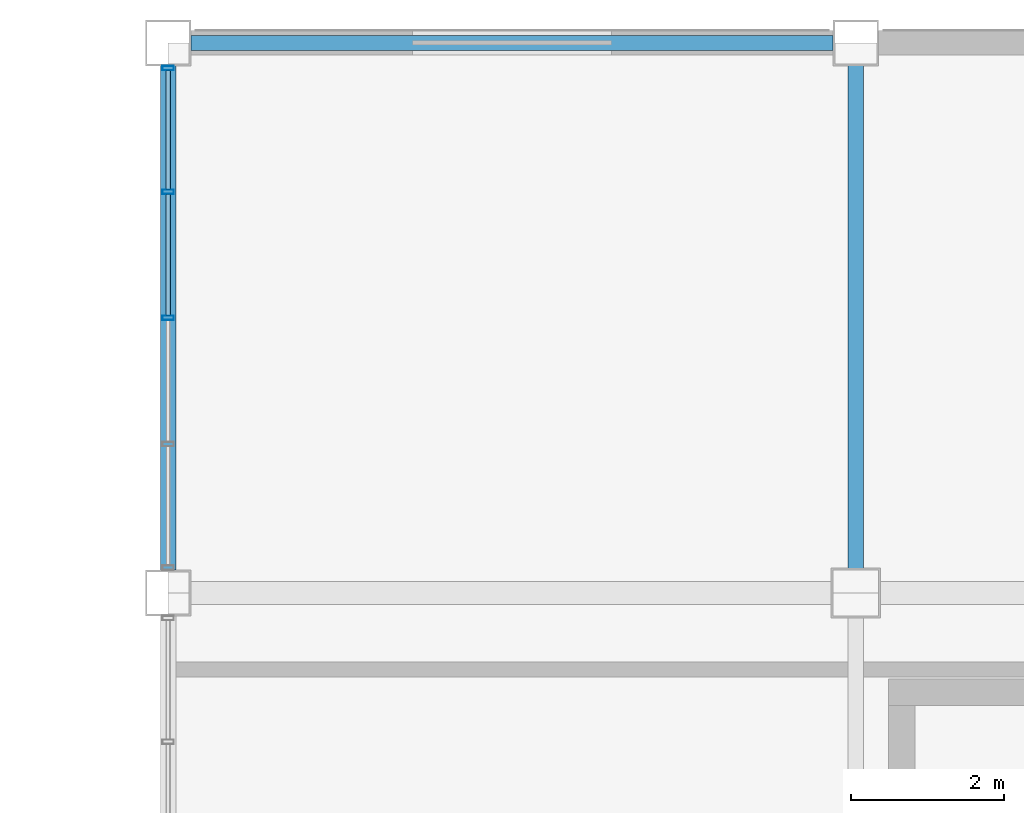
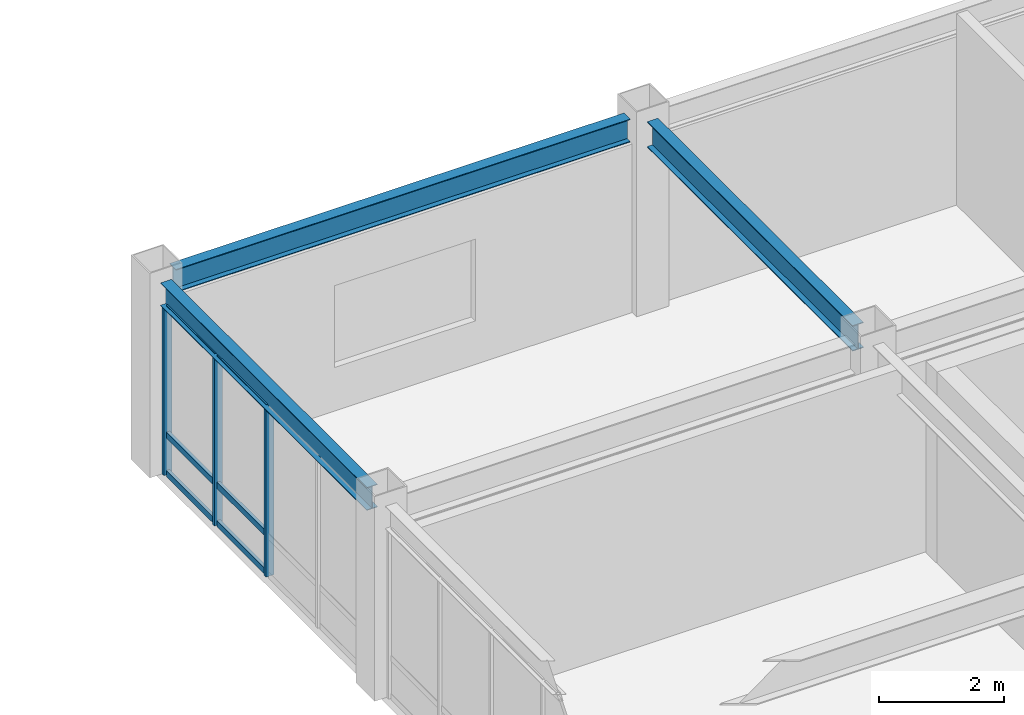
# One storey, part 79 of 113: 9 members, 3 beams, 1 element without a shape of its own.
"""IFC4 building model written with IfcOpenShell, lengths in metres."""

from ifc_helpers import new_model, si_unit, direction, frame, origin, origin_2d, place, context, subcontext, project, spatial, hollow_rectangle, i_section, extrude, material, material_profile, profile_set, type_object, element, aggregate, save


model = new_model("IFC4")

# Units and contexts
model_context = context("Model", 3, precision=1e-05, world=origin(), true_north=direction((0.0, 1.0)))
body_context = subcontext(model_context, "Body", "Model", "MODEL_VIEW")
ifc_project = project(units=[si_unit("LENGTHUNIT", "METRE"), si_unit("AREAUNIT", "SQUARE_METRE"), si_unit("VOLUMEUNIT", "CUBIC_METRE"), si_unit("PLANEANGLEUNIT", "RADIAN"), si_unit("MASSUNIT", "GRAM", prefix="KILO")], contexts=[model_context])

# Site, building, storey
site_placement = place(None, origin())
site = spatial("IfcSite", under=ifc_project, at=site_placement, CompositionType="ELEMENT")
building_placement = place(site_placement, origin())
building = spatial("IfcBuilding", under=site, at=building_placement, Name="Kazanami Central Library", CompositionType="ELEMENT")
storey_placement = place(building_placement, frame((0.0, 0.0, 8.800048828125)))
storey = spatial("IfcBuildingStorey", under=building, at=storey_placement, Name="L03", CompositionType="ELEMENT", Elevation=8.800048828125)

# Beams
ifc_material_1 = material(Name="Steel SN490B (325 MPa)", Category="steel")
ifc_material_profile_1 = material_profile(ifc_material_1, i_section(OverallWidth=0.199951171875, OverallDepth=0.5, WebThickness=0.010009765625, FlangeThickness=0.01611328125, at=origin_2d()), Name="H-500x200x10x16")
ifc_profile_set_1 = profile_set([ifc_material_profile_1], Name="Steel SN490B (325 MPa)")
beam_type_1 = type_object("IfcBeamType", Name="BM-G-Y2", PredefinedType="BEAM", material=ifc_profile_set_1)
beam_1_placement = place(storey_placement, frame((126.0, 86.722900390625, 3.494873046875), z_axis=(0.0, 1.0, 0.0), x_axis=(-1.0, 0.0, 0.0)))
element("IfcBeam", 1, at=beam_1_placement, inside=storey, type_object=beam_type_1, Name="Girder G-Y2 L03 15/N-O", PredefinedType="BEAM", context=body_context, shape_type="SweptSolid", body=[
    extrude(i_section(OverallWidth=0.199951171875, OverallDepth=0.5, WebThickness=0.010009765625, FlangeThickness=0.01611328125, at=origin_2d()), origin(), (0.0, 0.0, 1.0), 6.5791015625),
])
ifc_material_profile_2 = material_profile(ifc_material_1, i_section(OverallWidth=0.199951171875, OverallDepth=0.449951171875, WebThickness=0.009033203125, FlangeThickness=0.013916015625, at=origin_2d()), Name="H-450x200x9x14")
ifc_profile_set_2 = profile_set([ifc_material_profile_2], Name="Steel SN490B (325 MPa)")
beam_type_2 = type_object("IfcBeamType", Name="BM-SP-2", PredefinedType="SPANDREL", material=ifc_profile_set_2)
beam_2_placement = place(storey_placement, frame((117.298095703125, 93.60009765625, 3.52001953125), z_axis=(1.0, 0.0, 0.0), x_axis=(0.0, 1.0, 0.0)))
element("IfcBeam", 2, at=beam_2_placement, inside=storey, type_object=beam_type_2, Name="Girder SP-2 L03 O/14-15", PredefinedType="SPANDREL", context=body_context, shape_type="SweptSolid", body=[
    extrude(i_section(OverallWidth=0.199951171875, OverallDepth=0.449951171875, WebThickness=0.009033203125, FlangeThickness=0.013916015625, at=origin_2d()), origin(), (0.0, 0.0, 1.0), 8.40380859375),
])
beam_3_placement = place(storey_placement, frame((117.0, 86.697998046875, 3.52001953125), z_axis=(0.0, 1.0, 0.0), x_axis=(-1.0, 0.0, 0.0)))
element("IfcBeam", 3, at=beam_3_placement, inside=storey, type_object=beam_type_2, Name="Girder SP-2 L03 14/N-O", PredefinedType="SPANDREL", context=body_context, shape_type="SweptSolid", body=[
    extrude(i_section(OverallWidth=0.199951171875, OverallDepth=0.449951171875, WebThickness=0.009033203125, FlangeThickness=0.013916015625, at=origin_2d()), origin(), (0.0, 0.0, 1.0), 6.60400390625),
])

# Curtain wall, members
ifc_material_2 = material(Name="Acid-Etched Low-E Laminated Glass", Category="glass")
curtain_wall_type = type_object("IfcCurtainWallType", Name="CW-6600x3295-M180", PredefinedType="USERDEFINED", material=ifc_material_2)
curtain_wall_placement = place(storey_placement, origin())
curtain_wall = element("IfcCurtainWall", 4, at=curtain_wall_placement, inside=storey, type_object=curtain_wall_type, Name="Covered Link Bridge Curtain Wall CW-36 L03 W-14-12", ObjectType="UNITISED CURTAIN WALL", PredefinedType="USERDEFINED")
ifc_material_3 = material(Name="Anodised Aluminium A6063-T5", Category="aluminium")
ifc_material_profile_3 = material_profile(ifc_material_3, hollow_rectangle(XDim=0.06005859375, YDim=0.14990234375, WallThickness=0.00390625, at=origin_2d()), Name="ALU-MULL-60x150x4")
ifc_profile_set_3 = profile_set([ifc_material_profile_3], Name="Anodised Aluminium A6063-T5")
member_type_1 = type_object("IfcMemberType", Name="MEM-CW-M3", PredefinedType="MULLION", material=ifc_profile_set_3)
member_1_placement = place(storey_placement, frame((117.0, 90.0, 0.0), z_axis=(0.0, 0.0, 1.0), x_axis=(0.0, 1.0, 0.0)))
member_1 = element("IfcMember", 5, at=member_1_placement, type_object=member_type_1, Name="CW-36 mullion 3", PredefinedType="MULLION", context=body_context, shape_type="SweptSolid", body=[
    extrude(hollow_rectangle(XDim=0.06005859375, YDim=0.14990234375, WallThickness=0.00390625, at=origin_2d()), origin(), (0.0, 0.0, 1.0), 3.294921875),
])
member_2_placement = place(storey_placement, frame((117.0, 91.64990234375, 0.0), z_axis=(0.0, 0.0, 1.0), x_axis=(0.0, 1.0, 0.0)))
member_2 = element("IfcMember", 6, at=member_2_placement, type_object=member_type_1, Name="CW-36 mullion 4", PredefinedType="MULLION", context=body_context, shape_type="SweptSolid", body=[
    extrude(hollow_rectangle(XDim=0.06005859375, YDim=0.14990234375, WallThickness=0.00390625, at=origin_2d()), origin(), (0.0, 0.0, 1.0), 3.294921875),
])
member_3_placement = place(storey_placement, frame((117.0, 93.27001953125, 0.0), z_axis=(0.0, 0.0, 1.0), x_axis=(0.0, 1.0, 0.0)))
member_3 = element("IfcMember", 7, at=member_3_placement, type_object=member_type_1, Name="CW-36 mullion 5", PredefinedType="MULLION", context=body_context, shape_type="SweptSolid", body=[
    extrude(hollow_rectangle(XDim=0.06005859375, YDim=0.14990234375, WallThickness=0.00390625, at=origin_2d()), origin(), (0.0, 0.0, 1.0), 3.294921875),
])
ifc_material_profile_4 = material_profile(ifc_material_3, hollow_rectangle(XDim=0.06005859375, YDim=0.1201171875, WallThickness=0.00341796875, at=origin_2d()), Name="ALU-TRAN-60x120x3.5")
ifc_profile_set_4 = profile_set([ifc_material_profile_4], Name="Anodised Aluminium A6063-T5")
member_type_2 = type_object("IfcMemberType", Name="MEM-CW-T3", PredefinedType="USERDEFINED", material=ifc_profile_set_4)
member_4_placement = place(storey_placement, frame((117.0, 90.030029296875, 0.030029296875), z_axis=(0.0, 1.0, 0.0), x_axis=(-1.0, 0.0, 0.0)))
member_4 = element("IfcMember", 8, at=member_4_placement, type_object=member_type_2, Name="CW-36 transom 3.1", ObjectType="TRANSOM", PredefinedType="USERDEFINED", context=body_context, shape_type="SweptSolid", body=[
    extrude(hollow_rectangle(XDim=0.06005859375, YDim=0.1201171875, WallThickness=0.00341796875, at=origin_2d()), origin(), (0.0, 0.0, 1.0), 1.590087890625),
])
member_5_placement = place(storey_placement, frame((117.0, 90.030029296875, 0.780029296875), z_axis=(0.0, 1.0, 0.0), x_axis=(-1.0, 0.0, 0.0)))
member_5 = element("IfcMember", 9, at=member_5_placement, type_object=member_type_2, Name="CW-36 transom 3.2", ObjectType="TRANSOM", PredefinedType="USERDEFINED", context=body_context, shape_type="SweptSolid", body=[
    extrude(hollow_rectangle(XDim=0.06005859375, YDim=0.1201171875, WallThickness=0.00341796875, at=origin_2d()), origin(), (0.0, 0.0, 1.0), 1.590087890625),
])
member_6_placement = place(storey_placement, frame((117.0, 90.030029296875, 3.264892578125), z_axis=(0.0, 1.0, 0.0), x_axis=(-1.0, 0.0, 0.0)))
member_6 = element("IfcMember", 10, at=member_6_placement, type_object=member_type_2, Name="CW-36 transom 3.3", ObjectType="TRANSOM", PredefinedType="USERDEFINED", context=body_context, shape_type="SweptSolid", body=[
    extrude(hollow_rectangle(XDim=0.06005859375, YDim=0.1201171875, WallThickness=0.00341796875, at=origin_2d()), origin(), (0.0, 0.0, 1.0), 1.590087890625),
])
member_7_placement = place(storey_placement, frame((117.0, 91.679931640625, 0.030029296875), z_axis=(0.0, 1.0, 0.0), x_axis=(-1.0, 0.0, 0.0)))
member_7 = element("IfcMember", 11, at=member_7_placement, type_object=member_type_2, Name="CW-36 transom 4.1", ObjectType="TRANSOM", PredefinedType="USERDEFINED", context=body_context, shape_type="SweptSolid", body=[
    extrude(hollow_rectangle(XDim=0.06005859375, YDim=0.1201171875, WallThickness=0.00341796875, at=origin_2d()), origin(), (0.0, 0.0, 1.0), 1.56005859375),
])
member_8_placement = place(storey_placement, frame((117.0, 91.679931640625, 0.780029296875), z_axis=(0.0, 1.0, 0.0), x_axis=(-1.0, 0.0, 0.0)))
member_8 = element("IfcMember", 12, at=member_8_placement, type_object=member_type_2, Name="CW-36 transom 4.2", ObjectType="TRANSOM", PredefinedType="USERDEFINED", context=body_context, shape_type="SweptSolid", body=[
    extrude(hollow_rectangle(XDim=0.06005859375, YDim=0.1201171875, WallThickness=0.00341796875, at=origin_2d()), origin(), (0.0, 0.0, 1.0), 1.56005859375),
])
member_9_placement = place(storey_placement, frame((117.0, 91.679931640625, 3.264892578125), z_axis=(0.0, 1.0, 0.0), x_axis=(-1.0, 0.0, 0.0)))
member_9 = element("IfcMember", 13, at=member_9_placement, type_object=member_type_2, Name="CW-36 transom 4.3", ObjectType="TRANSOM", PredefinedType="USERDEFINED", context=body_context, shape_type="SweptSolid", body=[
    extrude(hollow_rectangle(XDim=0.06005859375, YDim=0.1201171875, WallThickness=0.00341796875, at=origin_2d()), origin(), (0.0, 0.0, 1.0), 1.56005859375),
])
aggregate(curtain_wall, [member_1, member_2, member_3, member_4, member_5, member_6, member_7, member_8, member_9])

save(model, "model.ifc")
